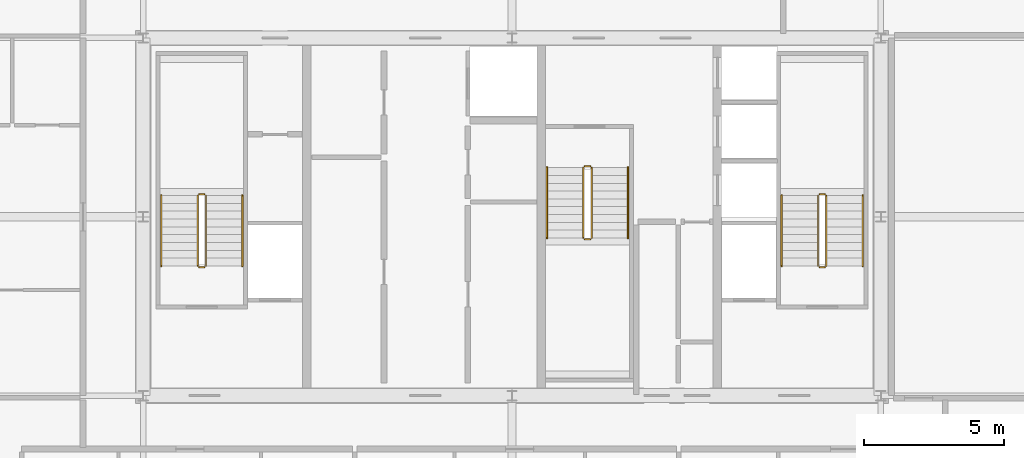
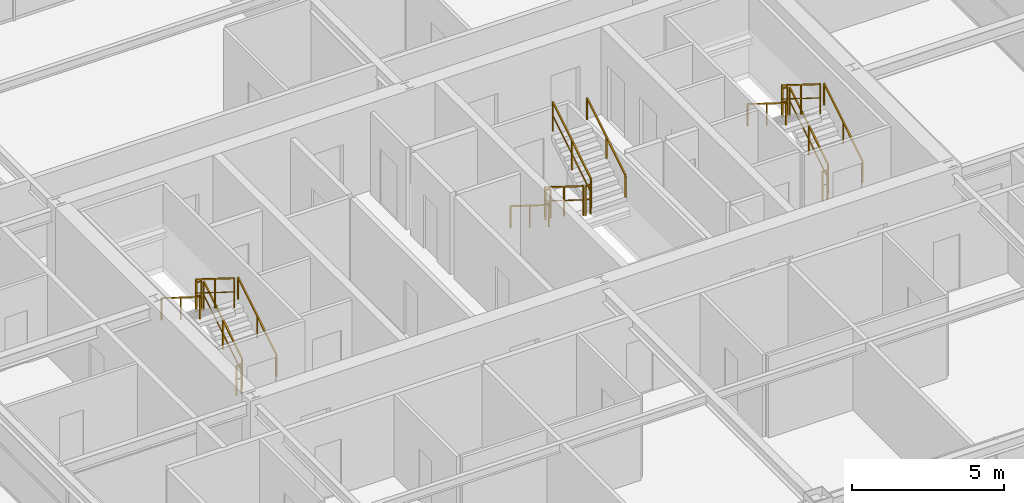
# One storey, part 37 of 37: 18 railings.
"""IFC4 building model written with IfcOpenShell, lengths in metres."""

from ifc_helpers import new_model, si_unit, direction, frame, origin, origin_2d, place, context, subcontext, project, spatial, rectangle, extrude, source, transform, mapped, material, layer, layer_set, type_object, element, save


model = new_model("IFC4")

# Units and contexts
model_context = context("Model", 3, precision=1e-05, world=origin(), true_north=direction((0.0, 1.0)))
body_context = subcontext(model_context, "Body", "Model", "MODEL_VIEW")
ifc_project = project(units=[si_unit("LENGTHUNIT", "METRE"), si_unit("AREAUNIT", "SQUARE_METRE"), si_unit("VOLUMEUNIT", "CUBIC_METRE"), si_unit("PLANEANGLEUNIT", "RADIAN"), si_unit("MASSUNIT", "GRAM", prefix="KILO"), si_unit("THERMODYNAMICTEMPERATUREUNIT", "KELVIN"), si_unit("POWERUNIT", "WATT")], contexts=[model_context])

# Site, building, storey
site_placement = place(None, origin())
site = spatial("IfcSite", under=ifc_project, at=site_placement, CompositionType="ELEMENT")
building_placement = place(site_placement, origin())
building = spatial("IfcBuilding", under=site, at=building_placement, Name="Yuzanri Waterfront Tower", CompositionType="ELEMENT")
storey_placement = place(building_placement, frame((0.0, 0.0, 275.10009765625)))
storey = spatial("IfcBuildingStorey", under=building, at=storey_placement, Name="L73", CompositionType="ELEMENT", Elevation=275.10009765625)

# Railings
ifc_material_1 = material(Name="Painted Galvanized Fire Steel", Category="steel")
ifc_layer_1 = layer(ifc_material_1, 0.06005859375)
ifc_layer_set_1 = layer_set([ifc_layer_1], Name="Painted Galvanized Fire Steel")
railing_type_1 = type_object("IfcRailingType", Name="Painted Steel Stairwell Guardrail 1120", PredefinedType="GUARDRAIL", material=ifc_layer_set_1)
shared_shape_1 = source(origin(), body_context, "Body", "SweptSolid", [
    extrude(rectangle(XDim=0.050048828125, YDim=0.050048828125, at=origin_2d()), frame((0.0, 0.0, 1.1748046875), z_axis=(-1.0, 0.0, 0.0), x_axis=(0.0, -1.0, 0.0)), (0.0, 0.0, 1.0), 0.199951171875),
    extrude(rectangle(XDim=0.035888671875, YDim=0.030029296875, at=origin_2d()), frame((0.0, 0.0, 0.6240234375), z_axis=(-1.0, 0.0, 0.0), x_axis=(0.0, -1.0, 0.0)), (0.0, 0.0, 1.0), 0.199951171875),
    extrude(rectangle(XDim=0.0458984375, YDim=0.0458984375, at=origin_2d()), origin(), (0.0, 0.0, 1.0), 1.14990234375),
    extrude(rectangle(XDim=0.0458984375, YDim=0.0458984375, at=origin_2d()), frame((-0.199951171875, 0.0, 0.0)), (0.0, 0.0, 1.0), 1.14990234375),
])
for number, where, name in (
    (1, (26.0, 26.610107421875, 1.75), "L73 ST-01 stair guard 2"),
    (2, (26.0, 23.989990234375, 0.0), "L73 ST-01 stair guard 4"),
    (3, (48.199951171875, 26.610107421875, 1.75), "L73 ST-02 stair guard 2"),
    (4, (48.199951171875, 23.989990234375, 0.0), "L73 ST-02 stair guard 4"),
):
    element("IfcRailing", number, at=place(storey_placement, frame(where)), inside=storey, type_object=railing_type_1, Name=name, PredefinedType="GUARDRAIL", context=body_context, shape_type="MappedRepresentation", body=[
        mapped(shared_shape_1, transform((0.0, 0.0, 0.0), scale=1.0)),
    ])
shared_shape_2 = source(origin(), body_context, "Body", "SweptSolid", [
    extrude(rectangle(XDim=0.050048828125, YDim=0.050048828125, at=origin_2d()), frame((0.0, 0.0, 1.1748046875), z_axis=(0.0, 0.847970611238, 0.530043245855), x_axis=(-1.0, 0.0, 0.0)), (0.0, 0.0, 1.0), 2.971923828125),
    extrude(rectangle(XDim=0.035888671875, YDim=0.030029296875, at=origin_2d()), frame((0.0, 0.0, 0.6240234375), z_axis=(0.0, 0.847970611238, 0.530043245855), x_axis=(-1.0, 0.0, 0.0)), (0.0, 0.0, 1.0), 2.971923828125),
    extrude(rectangle(XDim=0.0458984375, YDim=0.0458984375, at=origin_2d()), origin(), (0.0, 0.0, 1.0), 1.14990234375),
    extrude(rectangle(XDim=0.0458984375, YDim=0.0458984375, at=origin_2d()), frame((0.0, 1.260009765625, 0.78759765625)), (0.0, 0.0, 1.0), 1.14990234375),
    extrude(rectangle(XDim=0.0458984375, YDim=0.0458984375, at=origin_2d()), frame((0.0, 2.52001953125, 1.5751953125)), (0.0, 0.0, 1.0), 1.14990234375),
])
for number, where, name in (
    (5, (26.050048828125, 24.0400390625, 0.1748046875), "L73 ST-01 stair guard 1"),
    (6, (48.25, 24.0400390625, 0.1748046875), "L73 ST-02 stair guard 1"),
    (7, (39.85009765625, 25.0400390625, 1.9248046875), "L73 ST-03 stair guard 3"),
):
    element("IfcRailing", number, at=place(storey_placement, frame(where)), inside=storey, type_object=railing_type_1, Name=name, PredefinedType="GUARDRAIL", context=body_context, shape_type="MappedRepresentation", body=[
        mapped(shared_shape_2, transform((0.0, 0.0, 0.0), scale=1.0)),
    ])
shared_shape_3 = source(origin(), body_context, "Body", "SweptSolid", [
    extrude(rectangle(XDim=0.050048828125, YDim=0.050048828125, at=origin_2d()), frame((0.0, 0.0, 1.1748046875), z_axis=(0.0, -0.847970611238, 0.530043245855), x_axis=(1.0, 0.0, 0.0)), (0.0, 0.0, 1.0), 2.971923828125),
    extrude(rectangle(XDim=0.035888671875, YDim=0.030029296875, at=origin_2d()), frame((0.0, 0.0, 0.6240234375), z_axis=(0.0, -0.847970611238, 0.530043245855), x_axis=(1.0, 0.0, 0.0)), (0.0, 0.0, 1.0), 2.971923828125),
    extrude(rectangle(XDim=0.0458984375, YDim=0.0458984375, at=origin_2d()), origin(), (0.0, 0.0, 1.0), 1.14990234375),
    extrude(rectangle(XDim=0.0458984375, YDim=0.0458984375, at=origin_2d()), frame((0.0, -1.260009765625, 0.78759765625)), (0.0, 0.0, 1.0), 1.14990234375),
    extrude(rectangle(XDim=0.0458984375, YDim=0.0458984375, at=origin_2d()), frame((0.0, -2.52001953125, 1.5751953125)), (0.0, 0.0, 1.0), 1.14990234375),
])
for number, where, name in (
    (8, (25.75, 26.56005859375, 1.9248046875), "L73 ST-01 stair guard 3"),
    (9, (47.949951171875, 26.56005859375, 1.9248046875), "L73 ST-02 stair guard 3"),
    (10, (39.550048828125, 27.56005859375, 0.1748046875), "L73 ST-03 stair guard 1"),
):
    element("IfcRailing", number, at=place(storey_placement, frame(where)), inside=storey, type_object=railing_type_1, Name=name, PredefinedType="GUARDRAIL", context=body_context, shape_type="MappedRepresentation", body=[
        mapped(shared_shape_3, transform((0.0, 0.0, 0.0), scale=1.0)),
    ])
ifc_material_2 = material(Name="Anodized Architectural Bronze", Category="metal")
ifc_layer_2 = layer(ifc_material_2, 0.050048828125)
ifc_layer_set_2 = layer_set([ifc_layer_2], Name="Anodized Architectural Bronze")
railing_type_2 = type_object("IfcRailingType", Name="Brushed Bronze Stair Pitch Handrail 920", PredefinedType="HANDRAIL", material=ifc_layer_set_2)
shared_shape_4 = source(origin(), body_context, "Body", "SweptSolid", [
    extrude(rectangle(XDim=0.050048828125, YDim=0.050048828125, at=origin_2d()), frame((0.0, 0.0, 0.875), z_axis=(0.0, 0.847970611238, 0.530043245855), x_axis=(-1.0, 0.0, 0.0)), (0.0, 0.0, 1.0), 2.971923828125),
    extrude(rectangle(XDim=0.0458984375, YDim=0.0458984375, at=origin_2d()), origin(), (0.0, 0.0, 1.0), 0.849853515625),
    extrude(rectangle(XDim=0.0458984375, YDim=0.0458984375, at=origin_2d()), frame((0.0, 1.260009765625, 0.78759765625)), (0.0, 0.0, 1.0), 0.849853515625),
    extrude(rectangle(XDim=0.0458984375, YDim=0.0458984375, at=origin_2d()), frame((0.0, 2.52001953125, 1.5751953125)), (0.0, 0.0, 1.0), 0.849853515625),
])
for number, where, name in (
    (11, (27.35009765625, 24.0400390625, 0.1748046875), "L73 ST-01 stair handrail 1"),
    (12, (49.550048828125, 24.0400390625, 0.1748046875), "L73 ST-02 stair handrail 1"),
    (13, (41.14990234375, 25.0400390625, 1.9248046875), "L73 ST-03 stair handrail 2"),
):
    element("IfcRailing", number, at=place(storey_placement, frame(where)), inside=storey, type_object=railing_type_2, Name=name, PredefinedType="HANDRAIL", context=body_context, shape_type="MappedRepresentation", body=[
        mapped(shared_shape_4, transform((0.0, 0.0, 0.0), scale=1.0)),
    ])
shared_shape_5 = source(origin(), body_context, "Body", "SweptSolid", [
    extrude(rectangle(XDim=0.050048828125, YDim=0.050048828125, at=origin_2d()), frame((0.0, 0.0, 0.875), z_axis=(0.0, -0.847970611238, 0.530043245855), x_axis=(1.0, 0.0, 0.0)), (0.0, 0.0, 1.0), 2.971923828125),
    extrude(rectangle(XDim=0.0458984375, YDim=0.0458984375, at=origin_2d()), origin(), (0.0, 0.0, 1.0), 0.849853515625),
    extrude(rectangle(XDim=0.0458984375, YDim=0.0458984375, at=origin_2d()), frame((0.0, -1.260009765625, 0.78759765625)), (0.0, 0.0, 1.0), 0.849853515625),
    extrude(rectangle(XDim=0.0458984375, YDim=0.0458984375, at=origin_2d()), frame((0.0, -2.52001953125, 1.5751953125)), (0.0, 0.0, 1.0), 0.849853515625),
])
for number, where, name in (
    (14, (24.449951171875, 26.56005859375, 1.9248046875), "L73 ST-01 stair handrail 2"),
    (15, (46.64990234375, 26.56005859375, 1.9248046875), "L73 ST-02 stair handrail 2"),
    (16, (38.25, 27.56005859375, 0.1748046875), "L73 ST-03 stair handrail 1"),
):
    element("IfcRailing", number, at=place(storey_placement, frame(where)), inside=storey, type_object=railing_type_2, Name=name, PredefinedType="HANDRAIL", context=body_context, shape_type="MappedRepresentation", body=[
        mapped(shared_shape_5, transform((0.0, 0.0, 0.0), scale=1.0)),
    ])
shared_shape_6 = source(origin(), body_context, "Body", "SweptSolid", [
    extrude(rectangle(XDim=0.050048828125, YDim=0.050048828125, at=origin_2d()), frame((0.0, 0.0, 1.1748046875), z_axis=(1.0, 0.0, 0.0), x_axis=(0.0, 1.0, 0.0)), (0.0, 0.0, 1.0), 0.199951171875),
    extrude(rectangle(XDim=0.035888671875, YDim=0.030029296875, at=origin_2d()), frame((0.0, 0.0, 0.6240234375), z_axis=(1.0, 0.0, 0.0), x_axis=(0.0, 1.0, 0.0)), (0.0, 0.0, 1.0), 0.199951171875),
    extrude(rectangle(XDim=0.0458984375, YDim=0.0458984375, at=origin_2d()), origin(), (0.0, 0.0, 1.0), 1.14990234375),
    extrude(rectangle(XDim=0.0458984375, YDim=0.0458984375, at=origin_2d()), frame((0.199951171875, 0.0, 0.0)), (0.0, 0.0, 1.0), 1.14990234375),
])
for number, where, name in (
    (17, (39.60009765625, 24.989990234375, 1.75), "L73 ST-03 stair guard 2"),
    (18, (39.60009765625, 27.610107421875, 0.0), "L73 ST-03 stair guard 4"),
):
    element("IfcRailing", number, at=place(storey_placement, frame(where)), inside=storey, type_object=railing_type_1, Name=name, PredefinedType="GUARDRAIL", context=body_context, shape_type="MappedRepresentation", body=[
        mapped(shared_shape_6, transform((0.0, 0.0, 0.0), scale=1.0)),
    ])

save(model, "model.ifc")
